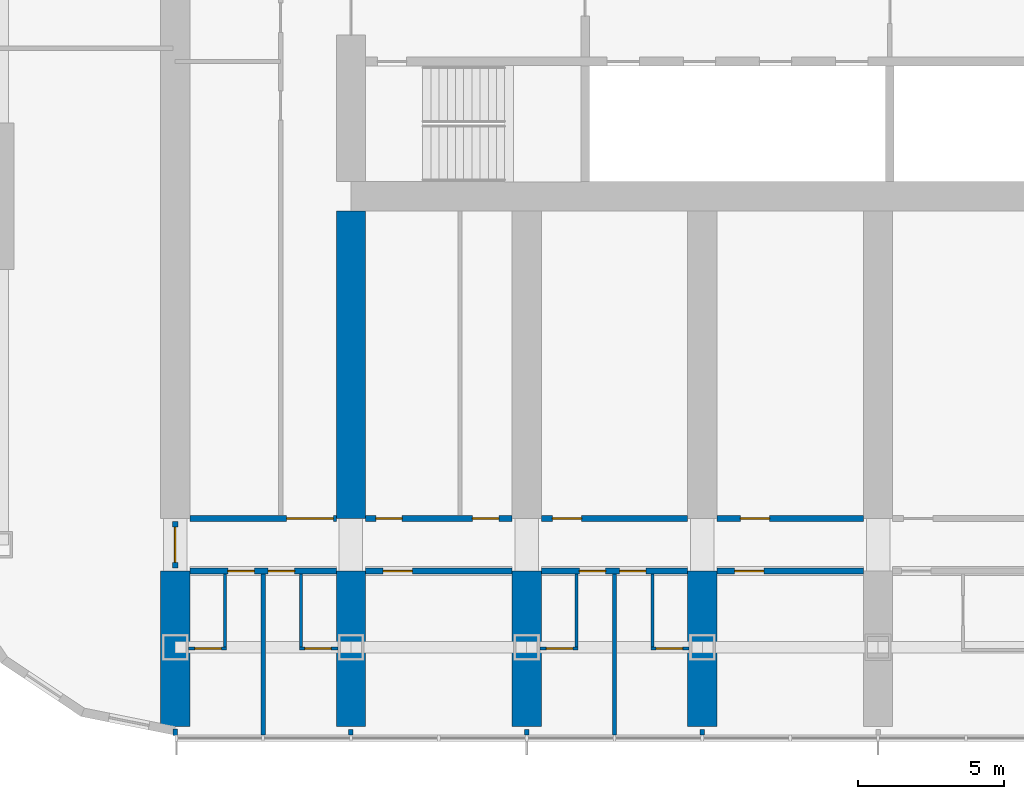
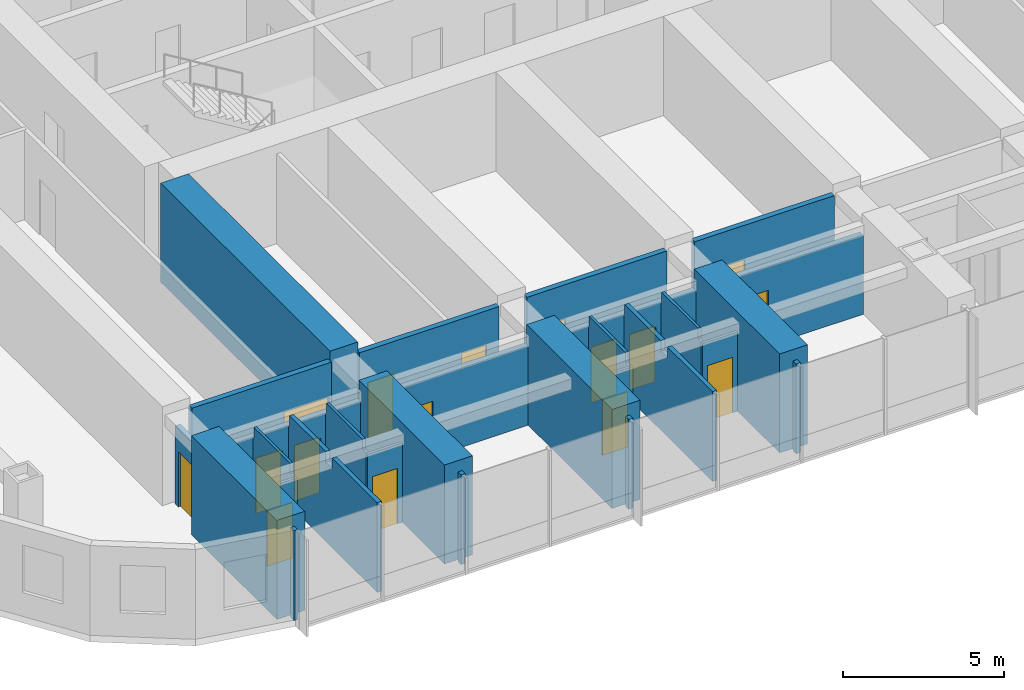
# One storey, part 10 of 23: 28 walls, 16 doors, 16 openings.
"""IFC4 building model written with IfcOpenShell, lengths in metres."""

from ifc_helpers import new_model, si_unit, direction, frame, frame_2d, origin, place, context, subcontext, project, spatial, polyline, rectangle, outline, extrude, material, layer, layer_set, type_object, element, fill, save


model = new_model("IFC4")

# Units and contexts
model_context = context("Model", 3, precision=1e-05, world=origin(), true_north=direction((0.0, 1.0)))
body_context = subcontext(model_context, "Body", "Model", "MODEL_VIEW")
ifc_project = project(units=[si_unit("LENGTHUNIT", "METRE"), si_unit("AREAUNIT", "SQUARE_METRE"), si_unit("VOLUMEUNIT", "CUBIC_METRE"), si_unit("PLANEANGLEUNIT", "RADIAN"), si_unit("MASSUNIT", "GRAM", prefix="KILO")], contexts=[model_context])

# Site, building, storey
site_placement = place(None, origin())
site = spatial("IfcSite", under=ifc_project, at=site_placement, CompositionType="ELEMENT")
building_placement = place(site_placement, origin())
building = spatial("IfcBuilding", under=site, at=building_placement, Name="Orbita Commons", CompositionType="ELEMENT")
storey_placement = place(building_placement, frame((0.0, 0.0, 65.199951171875)))
storey = spatial("IfcBuildingStorey", under=building, at=storey_placement, Name="L16", CompositionType="ELEMENT", Elevation=65.199951171875)

# Wall, openings, doors
ifc_material_1 = material(Name="Concrete blockwork", Category="masonry")
ifc_layer_1 = layer(ifc_material_1, 0.199951171875)
ifc_layer_set_1 = layer_set([ifc_layer_1], Name="Concrete blockwork")
wall_type_1 = type_object("IfcWallType", Name="Corridor wall 200 blockwork", PredefinedType="SOLIDWALL", material=ifc_layer_set_1)
wall_1_placement = place(storey_placement, frame((12.5, 13.0, 0.0), z_axis=(0.0, 0.0, 1.0), x_axis=(1.0, 0.0, 0.0)))
wall_1 = element("IfcWall", 1, at=wall_1_placement, inside=storey, type_object=wall_type_1, Name="Corridor wall 200 blockwork L16", PredefinedType="SOLIDWALL", context=body_context, shape_type="SweptSolid", body=[
    extrude(outline(polyline([(0.0, 0.0), (5.0, 0.0), (5.0, 3.0), (0.0, 3.0), (0.0, 0.0)])), frame((0.0, 0.10009765625, 0.0), z_axis=(0.0, -1.0, 0.0), x_axis=(1.0, 0.0, 0.0)), (0.0, 0.0, 1.0), 0.199951171875),
])
opening_1_placement = place(wall_1_placement, frame((1.300048828125, 0.0, 0.0)))
opening_1 = element("IfcOpeningElement", 2, at=opening_1_placement, cuts=wall_1, Name="Opening D11", PredefinedType="OPENING", context=body_context, shape_type="SweptSolid", body=[
    extrude(rectangle(XDim=0.89990234375, YDim=2.10009765625, at=frame_2d((0.449951171875, 1.050048828125))), frame((0.0, 0.10986328125, 0.0), z_axis=(0.0, -1.0, 0.0), x_axis=(1.0, 0.0, 0.0)), (0.0, 0.0, 1.0), 0.219970703125),
])
opening_2_placement = place(wall_1_placement, frame((2.675048828125, 0.0, 0.0)))
opening_2 = element("IfcOpeningElement", 3, at=opening_2_placement, cuts=wall_1, Name="Opening D11", PredefinedType="OPENING", context=body_context, shape_type="SweptSolid", body=[
    extrude(rectangle(XDim=0.89990234375, YDim=2.10009765625, at=frame_2d((0.449951171875, 1.050048828125))), frame((0.0, 0.10986328125, 0.0), z_axis=(0.0, -1.0, 0.0), x_axis=(1.0, 0.0, 0.0)), (0.0, 0.0, 1.0), 0.219970703125),
])
ifc_material_2 = material(Name="Steel-faced fire door leaf", Category="steel")
door_type_1 = type_object("IfcDoorType", Name="Corridor door 20 min 900x2100", OperationType="SINGLE_SWING_LEFT", PredefinedType="DOOR", material=ifc_material_2)
door_1_placement = place(opening_1_placement, origin())
door_1 = element("IfcDoor", 4, at=door_1_placement, inside=storey, type_object=door_type_1, Name="House bedroom L16-S00 door", OperationType="SINGLE_SWING_LEFT", OverallHeight=2.10009765625, OverallWidth=0.89990234375, PredefinedType="DOOR", context=body_context, shape_type="SweptSolid", body=[
    extrude(rectangle(XDim=0.89990234375, YDim=2.10009765625, at=frame_2d((0.449951171875, 1.050048828125))), frame((0.0, 0.02490234375, 0.0), z_axis=(0.0, -1.0, 0.0), x_axis=(1.0, 0.0, 0.0)), (0.0, 0.0, 1.0), 0.050048828125),
])
fill(opening_1, door_1)
door_2_placement = place(opening_2_placement, origin())
door_2 = element("IfcDoor", 5, at=door_2_placement, inside=storey, type_object=door_type_1, Name="House bedroom L16-S01 door", OperationType="SINGLE_SWING_LEFT", OverallHeight=2.10009765625, OverallWidth=0.89990234375, PredefinedType="DOOR", context=body_context, shape_type="SweptSolid", body=[
    extrude(rectangle(XDim=0.89990234375, YDim=2.10009765625, at=frame_2d((0.449951171875, 1.050048828125))), frame((0.0, 0.02490234375, 0.0), z_axis=(0.0, -1.0, 0.0), x_axis=(1.0, 0.0, 0.0)), (0.0, 0.0, 1.0), 0.050048828125),
])
fill(opening_2, door_2)

# Wall, opening, door
wall_2_placement = place(storey_placement, frame((18.5, 13.0, 0.0), z_axis=(0.0, 0.0, 1.0), x_axis=(1.0, 0.0, 0.0)))
wall_2 = element("IfcWall", 6, at=wall_2_placement, inside=storey, type_object=wall_type_1, Name="Corridor wall 200 blockwork L16", PredefinedType="SOLIDWALL", context=body_context, shape_type="SweptSolid", body=[
    extrude(outline(polyline([(0.0, 0.0), (5.0, 0.0), (5.0, 3.0), (0.0, 3.0), (0.0, 0.0)])), frame((0.0, 0.10009765625, 0.0), z_axis=(0.0, -1.0, 0.0), x_axis=(1.0, 0.0, 0.0)), (0.0, 0.0, 1.0), 0.199951171875),
])
opening_3_placement = place(wall_2_placement, frame((0.60009765625, 0.0, 0.0)))
opening_3 = element("IfcOpeningElement", 7, at=opening_3_placement, cuts=wall_2, Name="Opening D06", PredefinedType="OPENING", context=body_context, shape_type="SweptSolid", body=[
    extrude(rectangle(XDim=1.0, YDim=2.10009765625, at=frame_2d((0.5, 1.050048828125))), frame((0.0, 0.10986328125, 0.0), z_axis=(0.0, -1.0, 0.0), x_axis=(1.0, 0.0, 0.0)), (0.0, 0.0, 1.0), 0.219970703125),
])
ifc_material_3 = material(Name="Steel-faced fire door leaf", Category="steel")
door_type_2 = type_object("IfcDoorType", Name="Corridor door 20 min 1000x2100", OperationType="SINGLE_SWING_LEFT", PredefinedType="DOOR", material=ifc_material_3)
door_3_placement = place(opening_3_placement, origin())
door_3 = element("IfcDoor", 8, at=door_3_placement, inside=storey, type_object=door_type_2, Name="House study room L16-S02 door", OperationType="SINGLE_SWING_LEFT", OverallHeight=2.10009765625, OverallWidth=1.0, PredefinedType="DOOR", context=body_context, shape_type="SweptSolid", body=[
    extrude(rectangle(XDim=1.0, YDim=2.10009765625, at=frame_2d((0.5, 1.050048828125))), frame((0.0, 0.02490234375, 0.0), z_axis=(0.0, -1.0, 0.0), x_axis=(1.0, 0.0, 0.0)), (0.0, 0.0, 1.0), 0.050048828125),
])
fill(opening_3, door_3)

# Wall, openings, doors
wall_3_placement = place(storey_placement, frame((24.5, 13.0, 0.0), z_axis=(0.0, 0.0, 1.0), x_axis=(1.0, 0.0, 0.0)))
wall_3 = element("IfcWall", 9, at=wall_3_placement, inside=storey, type_object=wall_type_1, Name="Corridor wall 200 blockwork L16", PredefinedType="SOLIDWALL", context=body_context, shape_type="SweptSolid", body=[
    extrude(outline(polyline([(0.0, 0.0), (5.0, 0.0), (5.0, 3.0), (0.0, 3.0), (0.0, 0.0)])), frame((0.0, 0.10009765625, 0.0), z_axis=(0.0, -1.0, 0.0), x_axis=(1.0, 0.0, 0.0)), (0.0, 0.0, 1.0), 0.199951171875),
])
opening_4_placement = place(wall_3_placement, frame((1.300048828125, 0.0, 0.0)))
opening_4 = element("IfcOpeningElement", 10, at=opening_4_placement, cuts=wall_3, Name="Opening D11", PredefinedType="OPENING", context=body_context, shape_type="SweptSolid", body=[
    extrude(rectangle(XDim=0.89990234375, YDim=2.10009765625, at=frame_2d((0.449951171875, 1.050048828125))), frame((0.0, 0.10986328125, 0.0), z_axis=(0.0, -1.0, 0.0), x_axis=(1.0, 0.0, 0.0)), (0.0, 0.0, 1.0), 0.219970703125),
])
opening_5_placement = place(wall_3_placement, frame((2.675048828125, 0.0, 0.0)))
opening_5 = element("IfcOpeningElement", 11, at=opening_5_placement, cuts=wall_3, Name="Opening D11", PredefinedType="OPENING", context=body_context, shape_type="SweptSolid", body=[
    extrude(rectangle(XDim=0.89990234375, YDim=2.10009765625, at=frame_2d((0.449951171875, 1.050048828125))), frame((0.0, 0.10986328125, 0.0), z_axis=(0.0, -1.0, 0.0), x_axis=(1.0, 0.0, 0.0)), (0.0, 0.0, 1.0), 0.219970703125),
])
door_4_placement = place(opening_4_placement, origin())
door_4 = element("IfcDoor", 12, at=door_4_placement, inside=storey, type_object=door_type_1, Name="House bedroom L16-S04 door", OperationType="SINGLE_SWING_LEFT", OverallHeight=2.10009765625, OverallWidth=0.89990234375, PredefinedType="DOOR", context=body_context, shape_type="SweptSolid", body=[
    extrude(rectangle(XDim=0.89990234375, YDim=2.10009765625, at=frame_2d((0.449951171875, 1.050048828125))), frame((0.0, 0.02490234375, 0.0), z_axis=(0.0, -1.0, 0.0), x_axis=(1.0, 0.0, 0.0)), (0.0, 0.0, 1.0), 0.050048828125),
])
fill(opening_4, door_4)
door_5_placement = place(opening_5_placement, origin())
door_5 = element("IfcDoor", 13, at=door_5_placement, inside=storey, type_object=door_type_1, Name="House bedroom L16-S05 door", OperationType="SINGLE_SWING_LEFT", OverallHeight=2.10009765625, OverallWidth=0.89990234375, PredefinedType="DOOR", context=body_context, shape_type="SweptSolid", body=[
    extrude(rectangle(XDim=0.89990234375, YDim=2.10009765625, at=frame_2d((0.449951171875, 1.050048828125))), frame((0.0, 0.02490234375, 0.0), z_axis=(0.0, -1.0, 0.0), x_axis=(1.0, 0.0, 0.0)), (0.0, 0.0, 1.0), 0.050048828125),
])
fill(opening_5, door_5)

# Wall, opening, door
wall_4_placement = place(storey_placement, frame((30.5, 13.0, 0.0), z_axis=(0.0, 0.0, 1.0), x_axis=(1.0, 0.0, 0.0)))
wall_4 = element("IfcWall", 14, at=wall_4_placement, inside=storey, type_object=wall_type_1, Name="Corridor wall 200 blockwork L16", PredefinedType="SOLIDWALL", context=body_context, shape_type="SweptSolid", body=[
    extrude(outline(polyline([(0.0, 0.0), (5.0, 0.0), (5.0, 3.0), (0.0, 3.0), (0.0, 0.0)])), frame((0.0, 0.10009765625, 0.0), z_axis=(0.0, -1.0, 0.0), x_axis=(1.0, 0.0, 0.0)), (0.0, 0.0, 1.0), 0.199951171875),
])
opening_6_placement = place(wall_4_placement, frame((0.60009765625, 0.0, 0.0)))
opening_6 = element("IfcOpeningElement", 15, at=opening_6_placement, cuts=wall_4, Name="Opening D06", PredefinedType="OPENING", context=body_context, shape_type="SweptSolid", body=[
    extrude(rectangle(XDim=1.0, YDim=2.10009765625, at=frame_2d((0.5, 1.050048828125))), frame((0.0, 0.10986328125, 0.0), z_axis=(0.0, -1.0, 0.0), x_axis=(1.0, 0.0, 0.0)), (0.0, 0.0, 1.0), 0.219970703125),
])
door_6_placement = place(opening_6_placement, origin())
door_6 = element("IfcDoor", 16, at=door_6_placement, inside=storey, type_object=door_type_2, Name="House study room L16-S06 door", OperationType="SINGLE_SWING_LEFT", OverallHeight=2.10009765625, OverallWidth=1.0, PredefinedType="DOOR", context=body_context, shape_type="SweptSolid", body=[
    extrude(rectangle(XDim=1.0, YDim=2.10009765625, at=frame_2d((0.5, 1.050048828125))), frame((0.0, 0.02490234375, 0.0), z_axis=(0.0, -1.0, 0.0), x_axis=(1.0, 0.0, 0.0)), (0.0, 0.0, 1.0), 0.050048828125),
])
fill(opening_6, door_6)

wall_5_placement = place(storey_placement, frame((12.0, 13.10009765625, 0.0), z_axis=(0.0, 0.0, 1.0), x_axis=(0.0, 1.0, 0.0)))
wall_5 = element("IfcWall", 17, at=wall_5_placement, inside=storey, type_object=wall_type_1, Name="Corridor wall 200 blockwork L16", PredefinedType="SOLIDWALL", context=body_context, shape_type="SweptSolid", body=[
    extrude(outline(polyline([(0.0, 0.0), (1.599853515625, 0.0), (1.60009765625, 2.949951171875), (0.0, 2.949951171875), (0.0, 0.0)])), frame((0.0, 0.10009765625, 0.0), z_axis=(0.0, -1.0, 0.0), x_axis=(1.0, 0.0, 0.0)), (0.0, 0.0, 1.0), 0.199951171875),
])
opening_7_placement = place(wall_5_placement, frame((0.199951171875, 0.0, 0.0)))
opening_7 = element("IfcOpeningElement", 18, at=opening_7_placement, cuts=wall_5, Name="Opening D12", PredefinedType="OPENING", context=body_context, shape_type="SweptSolid", body=[
    extrude(rectangle(XDim=1.199951171875, YDim=2.10009765625, at=frame_2d((0.60009765625, 1.050048828125))), frame((0.0, 0.10986328125, 0.0), z_axis=(0.0, -1.0, 0.0), x_axis=(1.0, 0.0, 0.0)), (0.0, 0.0, 1.0), 0.219970703125),
])
ifc_material_4 = material(Name="Steel-faced fire door leaf", Category="steel")
door_type_3 = type_object("IfcDoorType", Name="Double corridor door 20 min 1200x2100", OperationType="DOUBLE_DOOR_SINGLE_SWING", PredefinedType="DOOR", material=ifc_material_4)
door_7_placement = place(opening_7_placement, origin())
door_7 = element("IfcDoor", 19, at=door_7_placement, inside=storey, type_object=door_type_3, Name="Lounge doors", OperationType="DOUBLE_DOOR_SINGLE_SWING", OverallHeight=2.10009765625, OverallWidth=1.199951171875, PredefinedType="DOOR", context=body_context, shape_type="SweptSolid", body=[
    extrude(rectangle(XDim=1.199951171875, YDim=2.10009765625, at=frame_2d((0.60009765625, 1.050048828125))), frame((0.0, 0.02490234375, 0.0), z_axis=(0.0, -1.0, 0.0), x_axis=(1.0, 0.0, 0.0)), (0.0, 0.0, 1.0), 0.050048828125),
])
fill(opening_7, door_7)

ifc_material_5 = material(Name="Hollow concrete block 200", Category="concrete")
ifc_layer_2 = layer(ifc_material_5, 0.199951171875)
ifc_layer_set_2 = layer_set([ifc_layer_2], Name="Hollow concrete block 200")
wall_type_2 = type_object("IfcWallType", Name="Corridor wall 200 hollow concrete block", PredefinedType="SOLIDWALL", material=ifc_layer_set_2)
wall_6_placement = place(storey_placement, frame((12.5, 14.800048828125, 0.0), z_axis=(0.0, 0.0, 1.0), x_axis=(1.0, 0.0, 0.0)))
wall_6 = element("IfcWall", 20, at=wall_6_placement, inside=storey, type_object=wall_type_2, Name="Corridor wall 200 hollow concrete block L16", PredefinedType="SOLIDWALL", context=body_context, shape_type="SweptSolid", body=[
    extrude(rectangle(XDim=5.0, YDim=0.199951171875, at=frame_2d((2.5, 0.0))), origin(), (0.0, 0.0, 1.0), 3.400146484375),
])
opening_8_placement = place(wall_6_placement, frame((3.300048828125, 0.0, 0.0)))
opening_8 = element("IfcOpeningElement", 21, at=opening_8_placement, cuts=wall_6, Name="Opening D10", PredefinedType="OPENING", context=body_context, shape_type="SweptSolid", body=[
    extrude(rectangle(XDim=1.60009765625, YDim=2.10009765625, at=frame_2d((0.800048828125, 1.050048828125))), frame((0.0, 0.10986328125, 0.0), z_axis=(0.0, -1.0, 0.0), x_axis=(1.0, 0.0, 0.0)), (0.0, 0.0, 1.0), 0.219970703125),
])
ifc_material_6 = material(Name="Steel-faced fire door leaf", Category="steel")
door_type_4 = type_object("IfcDoorType", Name="Double corridor door 20 min 1600x2100", OperationType="DOUBLE_DOOR_SINGLE_SWING", PredefinedType="DOOR", material=ifc_material_6)
door_8_placement = place(opening_8_placement, origin())
door_8 = element("IfcDoor", 22, at=door_8_placement, inside=storey, type_object=door_type_4, Name="Cross corridor doors", OperationType="DOUBLE_DOOR_SINGLE_SWING", OverallHeight=2.10009765625, OverallWidth=1.60009765625, PredefinedType="DOOR", context=body_context, shape_type="SweptSolid", body=[
    extrude(rectangle(XDim=1.60009765625, YDim=2.10009765625, at=frame_2d((0.800048828125, 1.050048828125))), frame((0.0, 0.02490234375, 0.0), z_axis=(0.0, -1.0, 0.0), x_axis=(1.0, 0.0, 0.0)), (0.0, 0.0, 1.0), 0.050048828125),
])
fill(opening_8, door_8)

# Wall, openings, doors
wall_7_placement = place(storey_placement, frame((18.5, 14.800048828125, 0.0), z_axis=(0.0, 0.0, 1.0), x_axis=(1.0, 0.0, 0.0)))
wall_7 = element("IfcWall", 23, at=wall_7_placement, inside=storey, type_object=wall_type_2, Name="Corridor wall 200 hollow concrete block L16", PredefinedType="SOLIDWALL", context=body_context, shape_type="SweptSolid", body=[
    extrude(rectangle(XDim=5.0, YDim=0.199951171875, at=frame_2d((2.5, 0.0))), origin(), (0.0, 0.0, 1.0), 3.400146484375),
])
opening_9_placement = place(wall_7_placement, frame((0.35009765625, 0.0, 0.0)))
opening_9 = element("IfcOpeningElement", 24, at=opening_9_placement, cuts=wall_7, Name="Opening D11", PredefinedType="OPENING", context=body_context, shape_type="SweptSolid", body=[
    extrude(rectangle(XDim=0.89990234375, YDim=2.10009765625, at=frame_2d((0.449951171875, 1.050048828125))), frame((0.0, 0.10986328125, 0.0), z_axis=(0.0, -1.0, 0.0), x_axis=(1.0, 0.0, 0.0)), (0.0, 0.0, 1.0), 0.219970703125),
])
opening_10_placement = place(wall_7_placement, frame((3.64990234375, 0.0, 0.0)))
opening_10 = element("IfcOpeningElement", 25, at=opening_10_placement, cuts=wall_7, Name="Opening D11", PredefinedType="OPENING", context=body_context, shape_type="SweptSolid", body=[
    extrude(rectangle(XDim=0.89990234375, YDim=2.10009765625, at=frame_2d((0.449951171875, 1.050048828125))), frame((0.0, 0.10986328125, 0.0), z_axis=(0.0, -1.0, 0.0), x_axis=(1.0, 0.0, 0.0)), (0.0, 0.0, 1.0), 0.219970703125),
])
door_9_placement = place(opening_9_placement, origin())
door_9 = element("IfcDoor", 26, at=door_9_placement, inside=storey, type_object=door_type_1, Name="Group meeting room L16-BDS18 door", OperationType="SINGLE_SWING_LEFT", OverallHeight=2.10009765625, OverallWidth=0.89990234375, PredefinedType="DOOR", context=body_context, shape_type="SweptSolid", body=[
    extrude(rectangle(XDim=0.89990234375, YDim=2.10009765625, at=frame_2d((0.449951171875, 1.050048828125))), frame((0.0, 0.02490234375, 0.0), z_axis=(0.0, -1.0, 0.0), x_axis=(1.0, 0.0, 0.0)), (0.0, 0.0, 1.0), 0.050048828125),
])
fill(opening_9, door_9)
door_10_placement = place(opening_10_placement, origin())
door_10 = element("IfcDoor", 27, at=door_10_placement, inside=storey, type_object=door_type_1, Name="Accessible WC and shower room L16-BDS18n door", OperationType="SINGLE_SWING_LEFT", OverallHeight=2.10009765625, OverallWidth=0.89990234375, PredefinedType="DOOR", context=body_context, shape_type="SweptSolid", body=[
    extrude(rectangle(XDim=0.89990234375, YDim=2.10009765625, at=frame_2d((0.449951171875, 1.050048828125))), frame((0.0, 0.02490234375, 0.0), z_axis=(0.0, -1.0, 0.0), x_axis=(1.0, 0.0, 0.0)), (0.0, 0.0, 1.0), 0.050048828125),
])
fill(opening_10, door_10)

# Wall, opening, door
wall_8_placement = place(storey_placement, frame((24.5, 14.800048828125, 0.0), z_axis=(0.0, 0.0, 1.0), x_axis=(1.0, 0.0, 0.0)))
wall_8 = element("IfcWall", 28, at=wall_8_placement, inside=storey, type_object=wall_type_2, Name="Corridor wall 200 hollow concrete block L16", PredefinedType="SOLIDWALL", context=body_context, shape_type="SweptSolid", body=[
    extrude(rectangle(XDim=5.0, YDim=0.199951171875, at=frame_2d((2.5, 0.0))), origin(), (0.0, 0.0, 1.0), 3.400146484375),
])
opening_11_placement = place(wall_8_placement, frame((0.375, 0.0, 0.0)))
opening_11 = element("IfcOpeningElement", 29, at=opening_11_placement, cuts=wall_8, Name="Opening D06", PredefinedType="OPENING", context=body_context, shape_type="SweptSolid", body=[
    extrude(rectangle(XDim=1.0, YDim=2.10009765625, at=frame_2d((0.5, 1.050048828125))), frame((0.0, 0.10986328125, 0.0), z_axis=(0.0, -1.0, 0.0), x_axis=(1.0, 0.0, 0.0)), (0.0, 0.0, 1.0), 0.219970703125),
])
door_11_placement = place(opening_11_placement, origin())
door_11 = element("IfcDoor", 30, at=door_11_placement, inside=storey, type_object=door_type_2, Name="Refuse and recycling room L16-BDS24 door", OperationType="SINGLE_SWING_LEFT", OverallHeight=2.10009765625, OverallWidth=1.0, PredefinedType="DOOR", context=body_context, shape_type="SweptSolid", body=[
    extrude(rectangle(XDim=1.0, YDim=2.10009765625, at=frame_2d((0.5, 1.050048828125))), frame((0.0, 0.02490234375, 0.0), z_axis=(0.0, -1.0, 0.0), x_axis=(1.0, 0.0, 0.0)), (0.0, 0.0, 1.0), 0.050048828125),
])
fill(opening_11, door_11)

wall_9_placement = place(storey_placement, frame((30.5, 14.800048828125, 0.0), z_axis=(0.0, 0.0, 1.0), x_axis=(1.0, 0.0, 0.0)))
wall_9 = element("IfcWall", 31, at=wall_9_placement, inside=storey, type_object=wall_type_2, Name="Corridor wall 200 hollow concrete block L16", PredefinedType="SOLIDWALL", context=body_context, shape_type="SweptSolid", body=[
    extrude(rectangle(XDim=5.0, YDim=0.199951171875, at=frame_2d((2.5, 0.0))), origin(), (0.0, 0.0, 1.0), 3.400146484375),
])
opening_12_placement = place(wall_9_placement, frame((0.800048828125, 0.0, 0.0)))
opening_12 = element("IfcOpeningElement", 32, at=opening_12_placement, cuts=wall_9, Name="Opening D06", PredefinedType="OPENING", context=body_context, shape_type="SweptSolid", body=[
    extrude(rectangle(XDim=1.0, YDim=2.10009765625, at=frame_2d((0.5, 1.050048828125))), frame((0.0, 0.10986328125, 0.0), z_axis=(0.0, -1.0, 0.0), x_axis=(1.0, 0.0, 0.0)), (0.0, 0.0, 1.0), 0.219970703125),
])
door_12_placement = place(opening_12_placement, origin())
door_12 = element("IfcDoor", 33, at=door_12_placement, inside=storey, type_object=door_type_2, Name="House pantry L16-BDS30 door", OperationType="SINGLE_SWING_LEFT", OverallHeight=2.10009765625, OverallWidth=1.0, PredefinedType="DOOR", context=body_context, shape_type="SweptSolid", body=[
    extrude(rectangle(XDim=1.0, YDim=2.10009765625, at=frame_2d((0.5, 1.050048828125))), frame((0.0, 0.02490234375, 0.0), z_axis=(0.0, -1.0, 0.0), x_axis=(1.0, 0.0, 0.0)), (0.0, 0.0, 1.0), 0.050048828125),
])
fill(opening_12, door_12)

# Walls
ifc_material_7 = material(Name="Concrete C50/60", Category="concrete")
ifc_layer_3 = layer(ifc_material_7, 1.0)
ifc_layer_set_3 = layer_set([ifc_layer_3], Name="Concrete C50/60")
wall_type_3 = type_object("IfcWallType", Name="Cross wall 1000 C50/60", PredefinedType="SHEAR", material=ifc_layer_set_3)
for number, where, z_axis, x_axis, name in (
    (34, (12.0, 7.699951171875, 0.0), (0.0, 0.0, 1.0), (0.0, 1.0, 0.0), "Cross wall 3 south outer L16"),
    (35, (18.0, 7.699951171875, 0.0), (0.0, 0.0, 1.0), (0.0, 1.0, 0.0), "Cross wall 4 south outer L16"),
):
    element("IfcWall", number, at=place(storey_placement, frame(where, z_axis=z_axis, x_axis=x_axis)), inside=storey, type_object=wall_type_3, Name=name, PredefinedType="SHEAR", context=body_context, shape_type="SweptSolid", body=[
        extrude(rectangle(XDim=5.300048828125, YDim=1.0, at=frame_2d((2.64990234375, 0.0))), origin(), (0.0, 0.0, 1.0), 3.75),
    ])
wall_10_placement = place(storey_placement, frame((18.0, 14.800048828125, 0.0), z_axis=(0.0, 0.0, 1.0), x_axis=(0.0, 1.0, 0.0)))
element("IfcWall", 36, at=wall_10_placement, inside=storey, type_object=wall_type_3, Name="Cross wall 4 south inner L16", PredefinedType="SHEAR", context=body_context, shape_type="SweptSolid", body=[
    extrude(rectangle(XDim=10.5, YDim=1.0, at=frame_2d((5.25, 0.0))), origin(), (0.0, 0.0, 1.0), 3.75),
])
for number, where, z_axis, x_axis, name in (
    (37, (24.0, 7.699951171875, 0.0), (0.0, 0.0, 1.0), (0.0, 1.0, 0.0), "Cross wall 5 south outer L16"),
    (38, (30.0, 7.699951171875, 0.0), (0.0, 0.0, 1.0), (0.0, 1.0, 0.0), "Cross wall 6 south outer L16"),
):
    element("IfcWall", number, at=place(storey_placement, frame(where, z_axis=z_axis, x_axis=x_axis)), inside=storey, type_object=wall_type_3, Name=name, PredefinedType="SHEAR", context=body_context, shape_type="SweptSolid", body=[
        extrude(rectangle(XDim=5.300048828125, YDim=1.0, at=frame_2d((2.64990234375, 0.0))), origin(), (0.0, 0.0, 1.0), 3.75),
    ])

# Wall, opening, door
ifc_material_8 = material(Name="Moisture-resistant plasterboard on steel studs", Category="steel")
ifc_layer_4 = layer(ifc_material_8, 0.10009765625)
ifc_layer_set_4 = layer_set([ifc_layer_4], Name="Moisture-resistant plasterboard on steel studs")
wall_type_4 = type_object("IfcWallType", Name="En-suite partition 100", PredefinedType="PARTITIONING", material=ifc_layer_set_4)
wall_11_placement = place(storey_placement, frame((13.75, 10.3583984375, 0.0), z_axis=(0.0, 0.0, 1.0), x_axis=(-1.0, 0.0, 0.0)))
wall_11 = element("IfcWall", 39, at=wall_11_placement, inside=storey, type_object=wall_type_4, Name="En-suite partition 100 L16", PredefinedType="PARTITIONING", context=body_context, shape_type="SweptSolid", body=[
    extrude(outline(polyline([(0.0, 0.0), (1.300048828125, 0.0), (1.300048828125, 3.0), (0.0, 3.0), (0.0, 0.0)])), frame((0.0, 0.050048828125, 0.0), z_axis=(0.0, -1.0, 0.0), x_axis=(1.0, 0.0, 0.0)), (0.0, 0.0, 1.0), 0.10009765625),
])
opening_13_placement = place(wall_11_placement, frame((0.175048828125, 0.0, 0.0)))
opening_13 = element("IfcOpeningElement", 40, at=opening_13_placement, cuts=wall_11, Name="Opening D09", PredefinedType="OPENING", context=body_context, shape_type="SweptSolid", body=[
    extrude(rectangle(XDim=0.89990234375, YDim=2.10009765625, at=frame_2d((0.449951171875, 1.050048828125))), frame((0.0, 0.06005859375, 0.0), z_axis=(0.0, -1.0, 0.0), x_axis=(1.0, 0.0, 0.0)), (0.0, 0.0, 1.0), 0.1201171875),
])
ifc_material_9 = material(Name="Laminated timber door leaf", Category="wood")
door_type_5 = type_object("IfcDoorType", Name="En-suite door 900x2100", OperationType="SINGLE_SWING_RIGHT", PredefinedType="DOOR", material=ifc_material_9)
door_13_placement = place(opening_13_placement, origin())
door_13 = element("IfcDoor", 41, at=door_13_placement, inside=storey, type_object=door_type_5, Name="En-suite L16-S00 door", OperationType="SINGLE_SWING_RIGHT", OverallHeight=2.10009765625, OverallWidth=0.89990234375, PredefinedType="DOOR", context=body_context, shape_type="SweptSolid", body=[
    extrude(rectangle(XDim=0.89990234375, YDim=2.10009765625, at=frame_2d((0.449951171875, 1.050048828125))), frame((0.0, 0.02490234375, 0.0), z_axis=(0.0, -1.0, 0.0), x_axis=(1.0, 0.0, 0.0)), (0.0, 0.0, 1.0), 0.050048828125),
])
fill(opening_13, door_13)

# Wall
wall_12_placement = place(storey_placement, frame((13.699951171875, 10.408203125, 0.0), z_axis=(0.0, 0.0, 1.0), x_axis=(0.0, 1.0, 0.0)))
element("IfcWall", 42, at=wall_12_placement, inside=storey, type_object=wall_type_4, Name="En-suite partition 100 L16", PredefinedType="PARTITIONING", context=body_context, shape_type="SweptSolid", body=[
    extrude(outline(polyline([(0.0, 0.0), (2.49169921875, 0.0), (2.49169921875, 3.0), (2.443603515625, 3.0), (2.441650390625, 3.400146484375), (0.193603515625, 3.400146484375), (0.191650390625, 3.0), (0.0, 3.0), (0.0, 0.0)])), frame((0.0, 0.050048828125, 0.0), z_axis=(0.0, -1.0, 0.0), x_axis=(1.0, 0.0, 0.0)), (0.0, 0.0, 1.0), 0.10009765625),
])

# Wall, opening, door
wall_13_placement = place(storey_placement, frame((17.550048828125, 10.3583984375, 0.0), z_axis=(0.0, 0.0, 1.0), x_axis=(-1.0, 0.0, 0.0)))
wall_13 = element("IfcWall", 43, at=wall_13_placement, inside=storey, type_object=wall_type_4, Name="En-suite partition 100 L16", PredefinedType="PARTITIONING", context=body_context, shape_type="SweptSolid", body=[
    extrude(outline(polyline([(0.0, 0.0), (1.300048828125, 0.0), (1.300048828125, 3.0), (0.0, 3.0), (0.0, 0.0)])), frame((0.0, 0.050048828125, 0.0), z_axis=(0.0, -1.0, 0.0), x_axis=(1.0, 0.0, 0.0)), (0.0, 0.0, 1.0), 0.10009765625),
])
opening_14_placement = place(wall_13_placement, frame((0.22509765625, 0.0, 0.0)))
opening_14 = element("IfcOpeningElement", 44, at=opening_14_placement, cuts=wall_13, Name="Opening D09", PredefinedType="OPENING", context=body_context, shape_type="SweptSolid", body=[
    extrude(rectangle(XDim=0.89990234375, YDim=2.10009765625, at=frame_2d((0.449951171875, 1.050048828125))), frame((0.0, 0.06005859375, 0.0), z_axis=(0.0, -1.0, 0.0), x_axis=(1.0, 0.0, 0.0)), (0.0, 0.0, 1.0), 0.1201171875),
])
door_14_placement = place(opening_14_placement, origin())
door_14 = element("IfcDoor", 45, at=door_14_placement, inside=storey, type_object=door_type_5, Name="En-suite L16-S01 door", OperationType="SINGLE_SWING_RIGHT", OverallHeight=2.10009765625, OverallWidth=0.89990234375, PredefinedType="DOOR", context=body_context, shape_type="SweptSolid", body=[
    extrude(rectangle(XDim=0.89990234375, YDim=2.10009765625, at=frame_2d((0.449951171875, 1.050048828125))), frame((0.0, 0.02490234375, 0.0), z_axis=(0.0, -1.0, 0.0), x_axis=(1.0, 0.0, 0.0)), (0.0, 0.0, 1.0), 0.050048828125),
])
fill(opening_14, door_14)

# Wall
wall_14_placement = place(storey_placement, frame((16.300048828125, 10.408203125, 0.0), z_axis=(0.0, 0.0, 1.0), x_axis=(0.0, 1.0, 0.0)))
element("IfcWall", 46, at=wall_14_placement, inside=storey, type_object=wall_type_4, Name="En-suite partition 100 L16", PredefinedType="PARTITIONING", context=body_context, shape_type="SweptSolid", body=[
    extrude(outline(polyline([(0.0, 0.0), (2.49169921875, 0.0), (2.49169921875, 3.0), (2.443603515625, 3.0), (2.441650390625, 3.400146484375), (0.193603515625, 3.400146484375), (0.191650390625, 3.0), (0.0, 3.0), (0.0, 0.0)])), frame((0.0, 0.050048828125, 0.0), z_axis=(0.0, -1.0, 0.0), x_axis=(1.0, 0.0, 0.0)), (0.0, 0.0, 1.0), 0.10009765625),
])

# Wall, opening, door
wall_15_placement = place(storey_placement, frame((25.75, 10.3583984375, 0.0), z_axis=(0.0, 0.0, 1.0), x_axis=(-1.0, 0.0, 0.0)))
wall_15 = element("IfcWall", 47, at=wall_15_placement, inside=storey, type_object=wall_type_4, Name="En-suite partition 100 L16", PredefinedType="PARTITIONING", context=body_context, shape_type="SweptSolid", body=[
    extrude(outline(polyline([(0.0, 0.0), (1.300048828125, 0.0), (1.300048828125, 3.0), (0.0, 3.0), (0.0, 0.0)])), frame((0.0, 0.050048828125, 0.0), z_axis=(0.0, -1.0, 0.0), x_axis=(1.0, 0.0, 0.0)), (0.0, 0.0, 1.0), 0.10009765625),
])
opening_15_placement = place(wall_15_placement, frame((0.175048828125, 0.0, 0.0)))
opening_15 = element("IfcOpeningElement", 48, at=opening_15_placement, cuts=wall_15, Name="Opening D09", PredefinedType="OPENING", context=body_context, shape_type="SweptSolid", body=[
    extrude(rectangle(XDim=0.89990234375, YDim=2.10009765625, at=frame_2d((0.449951171875, 1.050048828125))), frame((0.0, 0.06005859375, 0.0), z_axis=(0.0, -1.0, 0.0), x_axis=(1.0, 0.0, 0.0)), (0.0, 0.0, 1.0), 0.1201171875),
])
door_15_placement = place(opening_15_placement, origin())
door_15 = element("IfcDoor", 49, at=door_15_placement, inside=storey, type_object=door_type_5, Name="En-suite L16-S04 door", OperationType="SINGLE_SWING_RIGHT", OverallHeight=2.10009765625, OverallWidth=0.89990234375, PredefinedType="DOOR", context=body_context, shape_type="SweptSolid", body=[
    extrude(rectangle(XDim=0.89990234375, YDim=2.10009765625, at=frame_2d((0.449951171875, 1.050048828125))), frame((0.0, 0.02490234375, 0.0), z_axis=(0.0, -1.0, 0.0), x_axis=(1.0, 0.0, 0.0)), (0.0, 0.0, 1.0), 0.050048828125),
])
fill(opening_15, door_15)

# Wall
wall_16_placement = place(storey_placement, frame((25.699951171875, 10.408203125, 0.0), z_axis=(0.0, 0.0, 1.0), x_axis=(0.0, 1.0, 0.0)))
element("IfcWall", 50, at=wall_16_placement, inside=storey, type_object=wall_type_4, Name="En-suite partition 100 L16", PredefinedType="PARTITIONING", context=body_context, shape_type="SweptSolid", body=[
    extrude(outline(polyline([(0.0, 0.0), (2.49169921875, 0.0), (2.49169921875, 3.0), (2.443603515625, 3.0), (2.441650390625, 3.400146484375), (0.193603515625, 3.400146484375), (0.191650390625, 3.0), (0.0, 3.0), (0.0, 0.0)])), frame((0.0, 0.050048828125, 0.0), z_axis=(0.0, -1.0, 0.0), x_axis=(1.0, 0.0, 0.0)), (0.0, 0.0, 1.0), 0.10009765625),
])

# Wall, opening, door
wall_17_placement = place(storey_placement, frame((29.550048828125, 10.3583984375, 0.0), z_axis=(0.0, 0.0, 1.0), x_axis=(-1.0, 0.0, 0.0)))
wall_17 = element("IfcWall", 51, at=wall_17_placement, inside=storey, type_object=wall_type_4, Name="En-suite partition 100 L16", PredefinedType="PARTITIONING", context=body_context, shape_type="SweptSolid", body=[
    extrude(outline(polyline([(0.0, 0.0), (1.300048828125, 0.0), (1.300048828125, 3.0), (0.0, 3.0), (0.0, 0.0)])), frame((0.0, 0.050048828125, 0.0), z_axis=(0.0, -1.0, 0.0), x_axis=(1.0, 0.0, 0.0)), (0.0, 0.0, 1.0), 0.10009765625),
])
opening_16_placement = place(wall_17_placement, frame((0.22509765625, 0.0, 0.0)))
opening_16 = element("IfcOpeningElement", 52, at=opening_16_placement, cuts=wall_17, Name="Opening D09", PredefinedType="OPENING", context=body_context, shape_type="SweptSolid", body=[
    extrude(rectangle(XDim=0.89990234375, YDim=2.10009765625, at=frame_2d((0.449951171875, 1.050048828125))), frame((0.0, 0.06005859375, 0.0), z_axis=(0.0, -1.0, 0.0), x_axis=(1.0, 0.0, 0.0)), (0.0, 0.0, 1.0), 0.1201171875),
])
door_16_placement = place(opening_16_placement, origin())
door_16 = element("IfcDoor", 53, at=door_16_placement, inside=storey, type_object=door_type_5, Name="En-suite L16-S05 door", OperationType="SINGLE_SWING_RIGHT", OverallHeight=2.10009765625, OverallWidth=0.89990234375, PredefinedType="DOOR", context=body_context, shape_type="SweptSolid", body=[
    extrude(rectangle(XDim=0.89990234375, YDim=2.10009765625, at=frame_2d((0.449951171875, 1.050048828125))), frame((0.0, 0.02490234375, 0.0), z_axis=(0.0, -1.0, 0.0), x_axis=(1.0, 0.0, 0.0)), (0.0, 0.0, 1.0), 0.050048828125),
])
fill(opening_16, door_16)

# Walls
wall_18_placement = place(storey_placement, frame((28.300048828125, 10.408203125, 0.0), z_axis=(0.0, 0.0, 1.0), x_axis=(0.0, 1.0, 0.0)))
element("IfcWall", 54, at=wall_18_placement, inside=storey, type_object=wall_type_4, Name="En-suite partition 100 L16", PredefinedType="PARTITIONING", context=body_context, shape_type="SweptSolid", body=[
    extrude(outline(polyline([(0.0, 0.0), (2.49169921875, 0.0), (2.49169921875, 3.0), (2.443603515625, 3.0), (2.441650390625, 3.400146484375), (0.193603515625, 3.400146484375), (0.191650390625, 3.0), (0.0, 3.0), (0.0, 0.0)])), frame((0.0, 0.050048828125, 0.0), z_axis=(0.0, -1.0, 0.0), x_axis=(1.0, 0.0, 0.0)), (0.0, 0.0, 1.0), 0.10009765625),
])
ifc_material_10 = material(Name="Gypsum plasterboard on steel studs", Category="steel")
ifc_layer_5 = layer(ifc_material_10, 0.14990234375)
ifc_layer_set_5 = layer_set([ifc_layer_5], Name="Gypsum plasterboard on steel studs")
wall_type_5 = type_object("IfcWallType", Name="Partition 150 plasterboard", PredefinedType="PARTITIONING", material=ifc_layer_set_5)
wall_19_placement = place(storey_placement, frame((12.0, 7.60009765625, 0.0), z_axis=(0.0, 0.0, 1.0), x_axis=(0.0, -1.0, 0.0)))
element("IfcWall", 55, at=wall_19_placement, inside=storey, type_object=wall_type_5, Name="Partition 150 plasterboard L16", PredefinedType="PARTITIONING", context=body_context, shape_type="SweptSolid", body=[
    extrude(rectangle(XDim=0.22021484375, YDim=0.14990234375, at=frame_2d((0.110107421875, 0.0))), origin(), (0.0, 0.0, 1.0), 3.400146484375),
])
for number, where, z_axis, x_axis, name in (
    (56, (18.0, 7.60009765625, 0.0), (0.0, 0.0, 1.0), (0.0, -1.0, 0.0), "Partition 150 plasterboard L16"),
    (57, (24.0, 7.60009765625, 0.0), (0.0, 0.0, 1.0), (0.0, -1.0, 0.0), "Partition 150 plasterboard L16"),
    (58, (30.0, 7.60009765625, 0.0), (0.0, 0.0, 1.0), (0.0, -1.0, 0.0), "Partition 150 plasterboard L16"),
):
    element("IfcWall", number, at=place(storey_placement, frame(where, z_axis=z_axis, x_axis=x_axis)), inside=storey, type_object=wall_type_5, Name=name, PredefinedType="PARTITIONING", context=body_context, shape_type="SweptSolid", body=[
        extrude(rectangle(XDim=0.190185546875, YDim=0.14990234375, at=frame_2d((0.09521484375, 0.0))), origin(), (0.0, 0.0, 1.0), 3.400146484375),
    ])
ifc_material_11 = material(Name="Gypsum plasterboard on steel studs", Category="steel")
ifc_layer_6 = layer(ifc_material_11, 0.14990234375)
ifc_layer_set_6 = layer_set([ifc_layer_6], Name="Gypsum plasterboard on steel studs")
wall_type_6 = type_object("IfcWallType", Name="Party wall 150 plasterboard", PredefinedType="PARTITIONING", material=ifc_layer_set_6)
for number, where, z_axis, x_axis, name in (
    (59, (15.0, 7.409912109375, 0.0), (0.0, 0.0, 1.0), (0.0, 1.0, 0.0), "Party wall 150 plasterboard L16"),
    (60, (27.0, 7.409912109375, 0.0), (0.0, 0.0, 1.0), (0.0, 1.0, 0.0), "Party wall 150 plasterboard L16"),
):
    element("IfcWall", number, at=place(storey_placement, frame(where, z_axis=z_axis, x_axis=x_axis)), inside=storey, type_object=wall_type_6, Name=name, PredefinedType="PARTITIONING", context=body_context, shape_type="SweptSolid", body=[
        extrude(outline(polyline([(0.0, 0.0), (5.489990234375, 0.0), (5.489990234375, 3.0), (5.44189453125, 3.0), (5.43994140625, 3.400146484375), (3.19189453125, 3.400146484375), (3.18994140625, 3.0), (2.7919921875, 3.0), (2.7900390625, 3.400146484375), (0.0, 3.400146484375), (0.0, 0.0)])), frame((0.0, 0.074951171875, 0.0), z_axis=(0.0, -1.0, 0.0), x_axis=(1.0, 0.0, 0.0)), (0.0, 0.0, 1.0), 0.14990234375),
    ])

save(model, "model.ifc")
